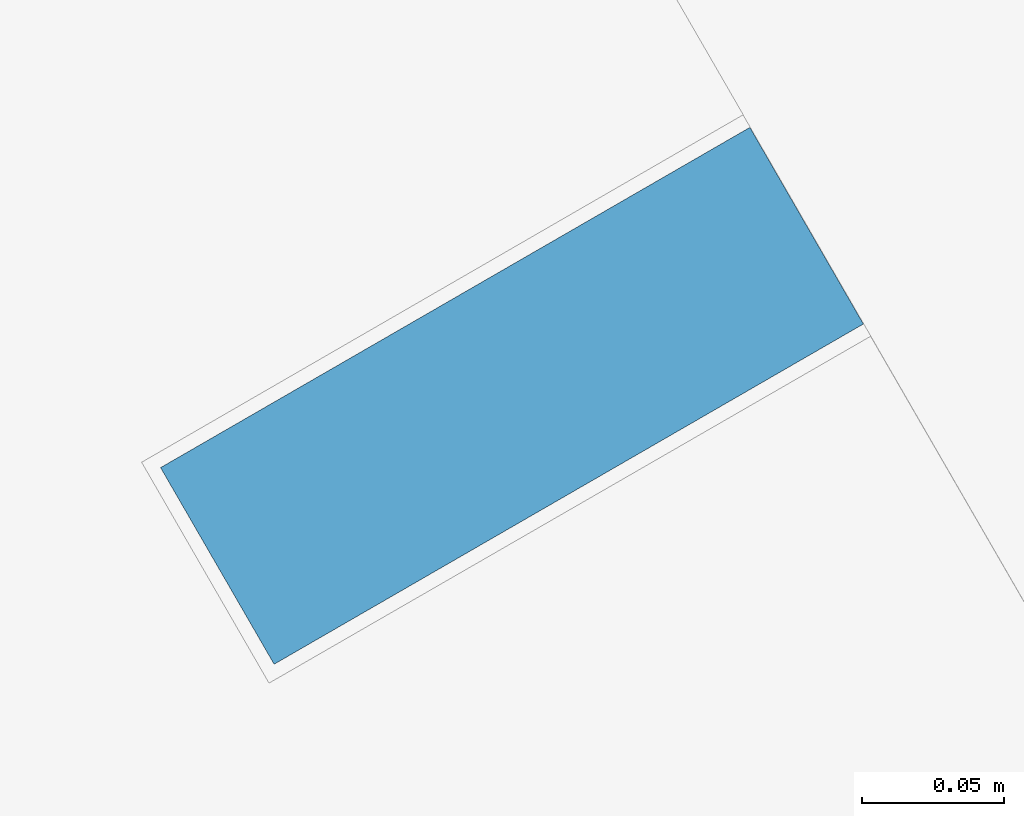
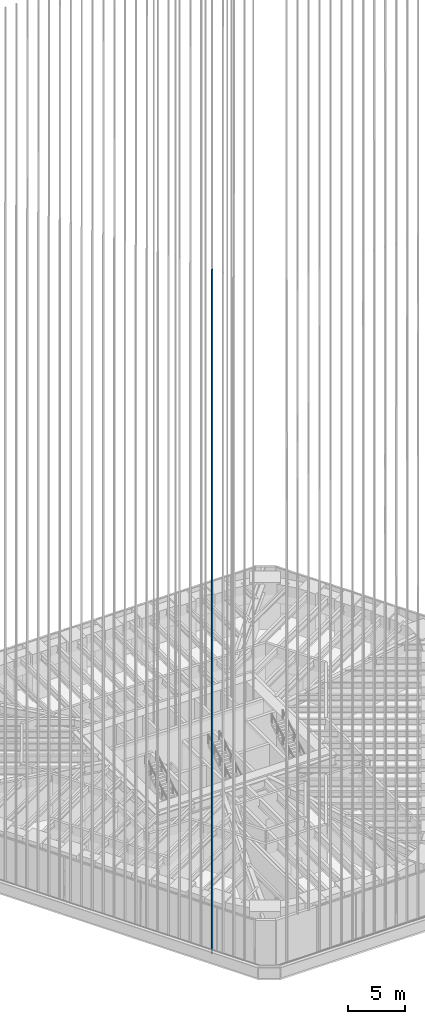
# One storey, part 24 of 228: 1 member, 1 element without a shape of its own.
"""IFC4 building model written with IfcOpenShell, lengths in metres."""

from ifc_helpers import new_model, si_unit, direction, frame, origin, origin_2d, place, context, subcontext, project, spatial, rectangle, extrude, material, material_profile, profile_set, type_object, element, aggregate, save


model = new_model("IFC4")

# Units and contexts
model_context = context("Model", 3, precision=1e-05, world=origin(), true_north=direction((0.0, 1.0)))
body_context = subcontext(model_context, "Body", "Model", "MODEL_VIEW")
ifc_project = project(units=[si_unit("LENGTHUNIT", "METRE"), si_unit("AREAUNIT", "SQUARE_METRE"), si_unit("VOLUMEUNIT", "CUBIC_METRE"), si_unit("PLANEANGLEUNIT", "RADIAN"), si_unit("MASSUNIT", "GRAM", prefix="KILO")], contexts=[model_context])

# Site, building, storey
site_placement = place(None, origin())
site = spatial("IfcSite", under=ifc_project, at=site_placement, CompositionType="ELEMENT")
building_placement = place(site_placement, origin())
building = spatial("IfcBuilding", under=site, at=building_placement, Name="Sandreach Pilgrim Tower", CompositionType="ELEMENT")
storey_placement = place(building_placement, frame((0.0, 0.0, 178.199951171875)))
storey = spatial("IfcBuildingStorey", under=building, at=storey_placement, Name="L44", CompositionType="ELEMENT", Elevation=178.199951171875)

# Curtain wall, member
ifc_material_1 = material(Name="Aluminium framed curtain wall", Category="aluminium")
curtain_wall_type = type_object("IfcCurtainWallType", Name="Upper hotel tower curtain wall", PredefinedType="NOTDEFINED", material=ifc_material_1)
curtain_wall_placement = place(storey_placement, origin())
curtain_wall = element("IfcCurtainWall", 1, at=curtain_wall_placement, inside=storey, type_object=curtain_wall_type, Name="CW-3 L44 SW", PredefinedType="NOTDEFINED")
ifc_material_2 = material(Name="Extruded terracotta on aluminium core", Category="masonry")
ifc_material_profile = material_profile(ifc_material_2, rectangle(XDim=0.080078125, YDim=0.239990234375, at=origin_2d()), Name="TBW 80X240")
ifc_profile_set = profile_set([ifc_material_profile], Name="Extruded terracotta on aluminium core")
member_type = type_object("IfcMemberType", Name="Terracotta baguette west", PredefinedType="USERDEFINED", material=ifc_profile_set)
member_placement = place(storey_placement, frame((-12.076904296875, -22.24267578125, 0.0), z_axis=(0.0, 0.0, 1.0), x_axis=(-0.5, 0.866025403784, 0.0)))
member = element("IfcMember", 2, at=member_placement, type_object=member_type, Name="Baguette Z3 SW04", ObjectType="BAGUETTE", PredefinedType="USERDEFINED", context=body_context, shape_type="SweptSolid", body=[
    extrude(rectangle(XDim=0.080078125, YDim=0.239990234375, at=origin_2d()), origin(), (0.0, 0.0, 1.0), 73.239990234375),
])
aggregate(curtain_wall, [member])

save(model, "model.ifc")
